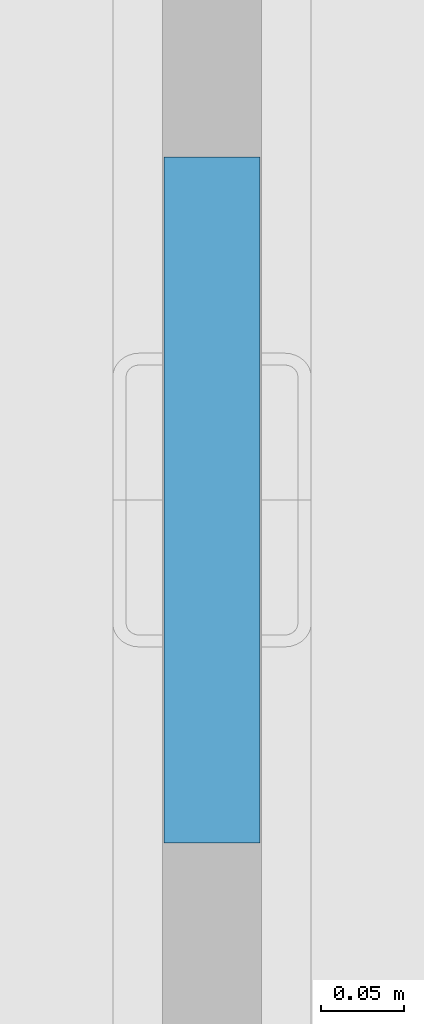
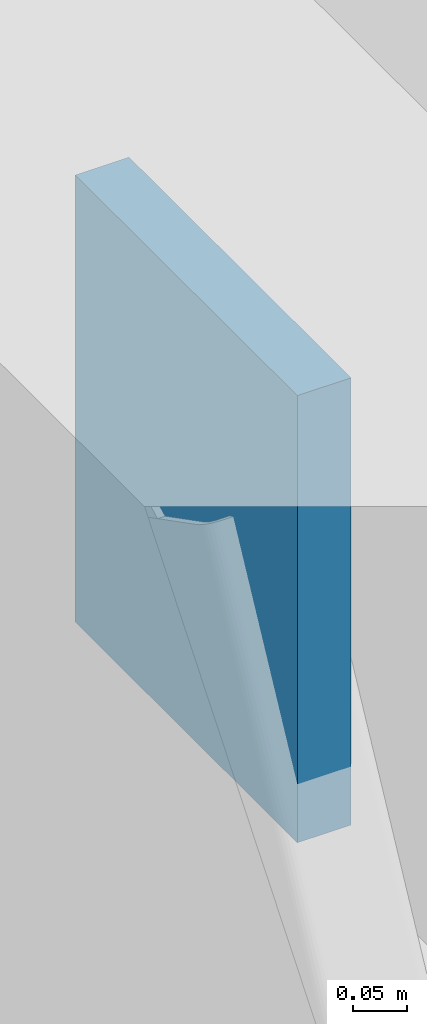
# One storey, part 69 of 102: 1 plate.
"""IFC4 building model written with IfcOpenShell, lengths in metres."""

import ifcopenshell
import ifcopenshell.guid

model = None  # the IFC model being written
_history = None  # IfcOwnerHistory: only IFC2X3 demands one
_inside = {}  # id of a spatial element -> (the spatial element, [elements in it])
_under = {}  # id of a project, library or spatial element -> (it, [spatial elements below it])
_declared = {}  # id of a project -> (the project, [libraries it declares])
_typed = {}  # id of a type object -> (the type object, [elements of that type])
_made_of = {}  # id of a material, layer set ... -> (it, [elements and type objects made of it])


def new_model(schema):
    """Start an empty IFC model of exactly this schema.

    Asked for "IFC4X3", IfcOpenShell would pick the latest addendum, in which some entities
    have other attributes; the version numbers below select the first issue.
    IFC2X3 requires an IfcOwnerHistory on every rooted entity: one is made here for all.
    """
    global model, _history
    if schema == "IFC4X3":
        model = ifcopenshell.file(schema_version=(4, 3, 0, 0))
    else:
        model = ifcopenshell.file(schema=schema)
    _inside.clear()
    _under.clear()
    _declared.clear()
    _typed.clear()
    _made_of.clear()
    _history = None
    if model.schema == "IFC2X3":
        org = make("IfcOrganization", Name="unknown")
        user = make(
            "IfcPersonAndOrganization",
            ThePerson=make("IfcPerson", FamilyName="unknown"),
            TheOrganization=org,
        )
        app = make(
            "IfcApplication",
            ApplicationDeveloper=org,
            Version="unknown",
            ApplicationFullName="unknown",
            ApplicationIdentifier="unknown",
        )
        _history = make(
            "IfcOwnerHistory",
            OwningUser=user,
            OwningApplication=app,
            ChangeAction="ADDED",
            CreationDate=0,
        )
    return model


def make(cls, **values):
    """One entity of the class cls with the attributes given. An attribute that is None is left unset."""
    return model.create_entity(
        cls, **{name: value for name, value in values.items() if value is not None}
    )


def rooted(cls, **values):
    """An entity with a GlobalId (a new one), such as an element, a storey or a relation."""
    return make(cls, GlobalId=ifcopenshell.guid.new(), OwnerHistory=_history, **values)


def si_unit(unit_type, name, prefix=None):
    """IfcSIUnit, for example si_unit("LENGTHUNIT", "METRE", prefix="MILLI")."""
    return make("IfcSIUnit", UnitType=unit_type, Prefix=prefix, Name=name)


def assignment(units):
    """IfcUnitAssignment: the units of a project."""
    return None if units is None else make("IfcUnitAssignment", Units=units)


def point(xyz):
    """IfcCartesianPoint."""
    return None if xyz is None else make("IfcCartesianPoint", Coordinates=xyz)


def direction(xyz):
    """IfcDirection."""
    return None if xyz is None else make("IfcDirection", DirectionRatios=xyz)


def frame(location, z_axis=None, x_axis=None):
    """IfcAxis2Placement3D, a coordinate frame: its origin and axes. An axis left out is left unset."""
    return make(
        "IfcAxis2Placement3D",
        Location=point(location),
        Axis=direction(z_axis),
        RefDirection=direction(x_axis),
    )


def frame_2d(location, x_axis=None):
    """IfcAxis2Placement2D, a coordinate frame in the plane: its origin and x axis."""
    return make(
        "IfcAxis2Placement2D", Location=point(location), RefDirection=direction(x_axis)
    )


def origin():
    """The frame at (0, 0, 0) with its axes left unset."""
    return frame((0.0, 0.0, 0.0))


def origin_2d():
    """The frame at (0, 0) in the plane with its x axis left unset."""
    return frame_2d((0.0, 0.0))


def place(relative_to, where):
    """IfcLocalPlacement: puts the frame where relative to a parent placement (None: the world)."""
    return make(
        "IfcLocalPlacement", PlacementRelTo=relative_to, RelativePlacement=where
    )


def context(
    kind, dimensions, precision=None, world=None, true_north=None, identifier=None
):
    """IfcGeometricRepresentationContext, for example the 3D "Model" context."""
    return make(
        "IfcGeometricRepresentationContext",
        ContextIdentifier=identifier,
        ContextType=kind,
        CoordinateSpaceDimension=dimensions,
        Precision=precision,
        WorldCoordinateSystem=world,
        TrueNorth=true_north,
    )


def subcontext(parent, identifier, kind, view, scale=None):
    """IfcGeometricRepresentationSubContext, for example "Body" below "Model"."""
    return make(
        "IfcGeometricRepresentationSubContext",
        ContextIdentifier=identifier,
        ContextType=kind,
        ParentContext=parent,
        TargetScale=scale,
        TargetView=view,
    )


def project(units=None, contexts=None):
    """IfcProject with its units and contexts."""
    return rooted(
        "IfcProject",
        Name="project",
        RepresentationContexts=contexts,
        UnitsInContext=assignment(units),
    )


def spatial(cls, under=None, at=None, **own):
    """A site, building, storey or space (cls), placed at a placement, below another one or the project."""
    s = rooted(cls, ObjectPlacement=at, **own)
    if under is not None:
        _under.setdefault(under.id(), (under, []))[1].append(s)
    return s


def profile(cls, at=None, kind="AREA", **sizes):
    """A parametric profile (cls). Its sizes go by their IFC names, for example OverallWidth=200.0."""
    return make(cls, ProfileType=kind, Position=at, **sizes)


def rectangle(**sizes):
    """IfcRectangleProfileDef."""
    return profile("IfcRectangleProfileDef", **sizes)


def extrude(swept, where, along, depth):
    """IfcExtrudedAreaSolid: the profile swept, set in the frame where, extruded along a direction by depth."""
    return make(
        "IfcExtrudedAreaSolid",
        SweptArea=swept,
        Position=where,
        ExtrudedDirection=direction(along),
        Depth=depth,
    )


def shape(context_of_items, identifier, shape_type, items):
    """IfcShapeRepresentation: the items that make up one representation, for example the "Body"."""
    return make(
        "IfcShapeRepresentation",
        ContextOfItems=context_of_items,
        RepresentationIdentifier=identifier,
        RepresentationType=shape_type,
        Items=items,
    )


def material(Name=None, Category=None):
    """IfcMaterial."""
    return make("IfcMaterial", Name=Name, Category=Category)


def layer(
    of_material, thickness, ventilated=None, Name=None, Category=None, Priority=None
):
    """IfcMaterialLayer: one layer of a wall or slab, of a material (None: an air gap)."""
    return make(
        "IfcMaterialLayer",
        Material=of_material,
        LayerThickness=thickness,
        IsVentilated=ventilated,
        Name=Name,
        Category=Category,
        Priority=Priority,
    )


def layer_set(layers, Name=None):
    """IfcMaterialLayerSet."""
    return make("IfcMaterialLayerSet", MaterialLayers=layers, LayerSetName=Name)


def made_of(thing, what):
    """Note that an element or type object is made of a material, layer set ...; save() writes the relation."""
    if what is not None:
        _made_of.setdefault(what.id(), (what, []))[1].append(thing)
    return thing


def type_object(cls, material=None, **own):
    """A type object (cls), such as IfcWallType, which elements share."""
    return made_of(rooted(cls, **own), material)


def element(
    cls,
    number,
    at=None,
    inside=None,
    cuts=None,
    type_object=None,
    material=None,
    context=None,
    identifier="Body",
    shape_type=None,
    held_by="IfcProductDefinitionShape",
    body=None,
    shapes=None,
    **own,
):
    """One element of the class cls, such as IfcWall. Its Tag is "e" and its number.

    at: its placement. inside: the storey or other place that contains it. cuts: it is an
    opening in that element (IfcRelVoidsElement). A single representation is given by context,
    identifier, shape_type and body (its items); several are given by shapes. held_by: the class
    of the entity that holds the representations. save() writes the other relations.
    """
    e = rooted(cls, Tag="e%d" % number, ObjectPlacement=at, **own)
    if body is not None:
        shapes = [shape(context, identifier, shape_type, body)]
    if shapes is not None:
        e.Representation = make(held_by, Representations=shapes)
    if inside is not None:
        _inside.setdefault(inside.id(), (inside, []))[1].append(e)
    if cuts is not None:
        rooted(
            "IfcRelVoidsElement", RelatingBuildingElement=cuts, RelatedOpeningElement=e
        )
    if type_object is not None:
        _typed.setdefault(type_object.id(), (type_object, []))[1].append(e)
    return made_of(e, material)


def aggregate(whole, parts):
    """IfcRelAggregates: a whole, such as a stair, and the parts it consists of."""
    return rooted("IfcRelAggregates", RelatingObject=whole, RelatedObjects=parts)


def save(model, path):
    """Write the relations noted so far, then the file.

    IfcRelAggregates (storeys below a building ...), IfcRelContainedInSpatialStructure (elements
    in a storey), IfcRelDefinesByType, IfcRelAssociatesMaterial and IfcRelDeclares: one each for
    every whole, place, type object, material and project.
    """
    for whole, parts in _under.values():
        aggregate(whole, parts)
    for where, things in _inside.values():
        rooted(
            "IfcRelContainedInSpatialStructure",
            RelatedElements=things,
            RelatingStructure=where,
        )
    for kind, things in _typed.values():
        rooted("IfcRelDefinesByType", RelatedObjects=things, RelatingType=kind)
    for what, things in _made_of.values():
        rooted("IfcRelAssociatesMaterial", RelatedObjects=things, RelatingMaterial=what)
    for by, libraries in _declared.values():
        rooted("IfcRelDeclares", RelatingContext=by, RelatedDefinitions=libraries)
    model.write(path)


model = new_model("IFC4")

# Units and contexts
model_context = context("Model", 3, precision=1e-05, world=origin(), true_north=direction((0.0, 1.0)))
body_context = subcontext(model_context, "Body", "Model", "MODEL_VIEW")
ifc_project = project(units=[si_unit("LENGTHUNIT", "METRE"), si_unit("AREAUNIT", "SQUARE_METRE"), si_unit("VOLUMEUNIT", "CUBIC_METRE"), si_unit("PLANEANGLEUNIT", "RADIAN"), si_unit("MASSUNIT", "GRAM", prefix="KILO")], contexts=[model_context])

# Site, building, storey
site_placement = place(None, origin())
site = spatial("IfcSite", under=ifc_project, at=site_placement, CompositionType="ELEMENT")
building_placement = place(site_placement, origin())
building = spatial("IfcBuilding", under=site, at=building_placement, Name="Kolvemor Railside Polytechnic", CompositionType="ELEMENT")
storey_placement = place(building_placement, origin())
storey = spatial("IfcBuildingStorey", under=building, at=storey_placement, Name="L00", CompositionType="ELEMENT", Elevation=0.0)

# Plate
ifc_material = material(Name="Steel S355", Category="steel")
ifc_layer = layer(ifc_material, 0.05810546875, Name="PLT-GUSSET-5")
ifc_layer_set = layer_set([ifc_layer], Name="Steel S355")
plate_type = type_object("IfcPlateType", Name="PLT-GUSSET-5", PredefinedType="USERDEFINED", material=ifc_layer_set)
plate_placement = place(storey_placement, frame((0.0, 79.199951171875, 4.55517578125), z_axis=(0.0, 0.0, 1.0), x_axis=(0.0, 1.0, 0.0)))
element("IfcPlate", 1, at=plate_placement, inside=storey, type_object=plate_type, Name="Brace Chevron Gusset Plate GP-BR05", ObjectType="GUSSET PLATE", PredefinedType="USERDEFINED", context=body_context, shape_type="SweptSolid", body=[
    extrude(rectangle(XDim=0.4150390625, YDim=0.05810546875, at=origin_2d()), origin(), (0.0, 0.0, 1.0), 0.510009765625),
])

save(model, "model.ifc")
